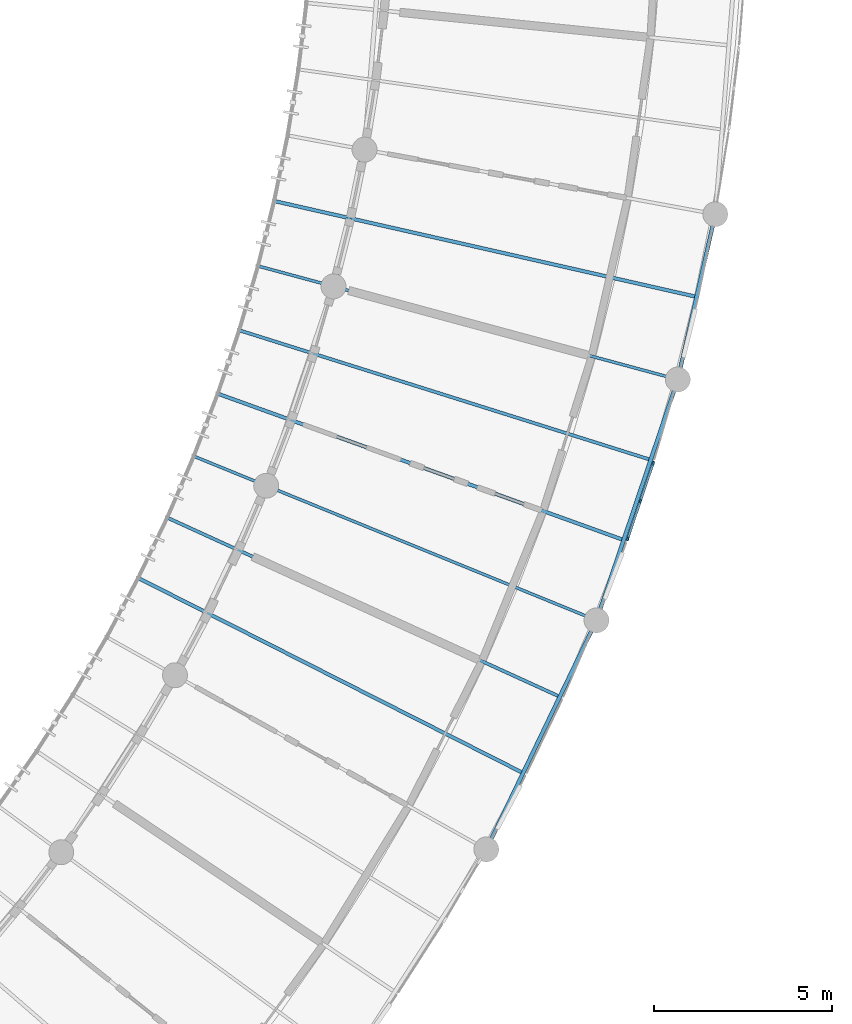
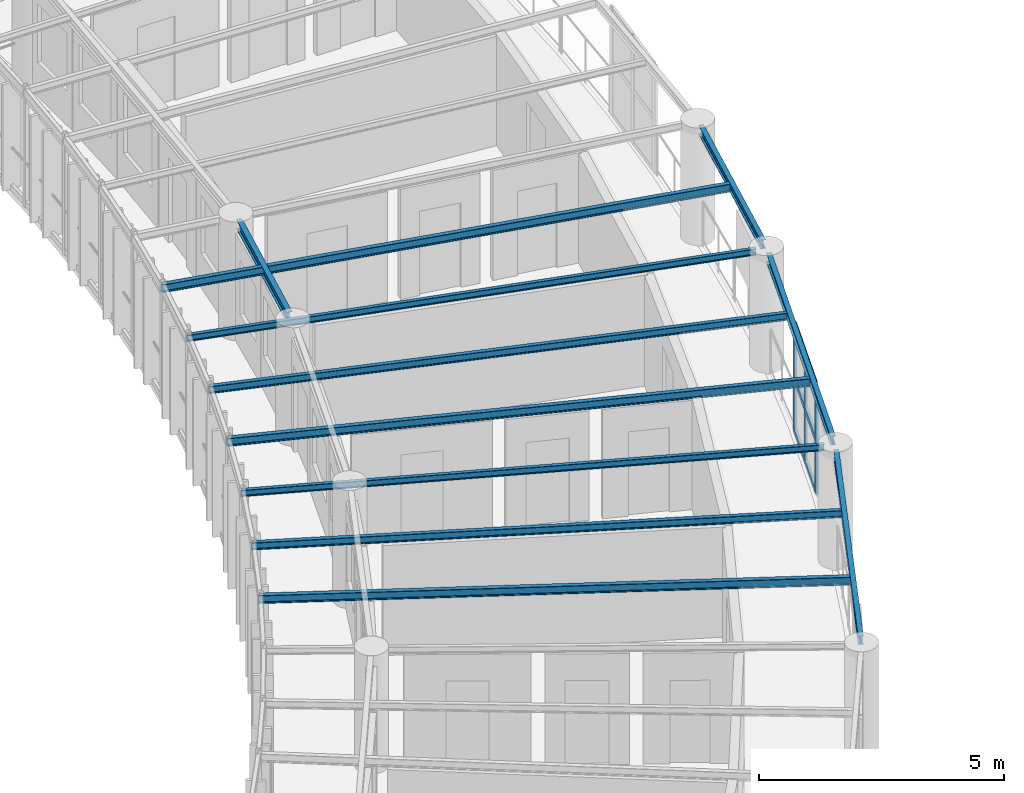
# One storey, part 15 of 100: 11 beams, 9 members, 1 element without a shape of its own.
"""IFC4 building model written with IfcOpenShell, lengths in metres."""

from ifc_helpers import new_model, si_unit, direction, frame, origin, origin_2d, place, context, subcontext, project, spatial, rectangle, i_section, extrude, material, layer, layer_set, material_profile, profile_set, type_object, element, aggregate, save


model = new_model("IFC4")

# Units and contexts
model_context = context("Model", 3, precision=1e-05, world=origin(), true_north=direction((0.0, 1.0)))
body_context = subcontext(model_context, "Body", "Model", "MODEL_VIEW")
ifc_project = project(units=[si_unit("LENGTHUNIT", "METRE"), si_unit("AREAUNIT", "SQUARE_METRE"), si_unit("VOLUMEUNIT", "CUBIC_METRE"), si_unit("PLANEANGLEUNIT", "RADIAN"), si_unit("MASSUNIT", "GRAM", prefix="KILO"), si_unit("POWERUNIT", "WATT"), si_unit("THERMODYNAMICTEMPERATUREUNIT", "KELVIN")], contexts=[model_context])

# Site, building, storey
site_placement = place(None, origin())
site = spatial("IfcSite", under=ifc_project, at=site_placement, CompositionType="ELEMENT")
building_placement = place(site_placement, origin())
building = spatial("IfcBuilding", under=site, at=building_placement, Name="Ruvembo Vaulted Housing Court", CompositionType="ELEMENT")
storey_placement = place(building_placement, frame((0.0, 0.0, 10.89990234375)))
storey = spatial("IfcBuildingStorey", under=building, at=storey_placement, Name="L03", CompositionType="ELEMENT", Elevation=10.89990234375)

# Beams
ifc_material_1 = material(Name="Steel S355J2", Category="steel")
ifc_material_profile_1 = material_profile(ifc_material_1, i_section(OverallWidth=0.08203125, OverallDepth=0.159912109375, WebThickness=0.0048828125, FlangeThickness=0.00732421875, FilletRadius=0.009033203125, at=origin_2d()), Name="IPE 160")
ifc_profile_set_1 = profile_set([ifc_material_profile_1], Name="Steel S355J2")
beam_type_1 = type_object("IfcBeamType", Name="BM-ST-IPE160", PredefinedType="JOIST", material=ifc_profile_set_1)
beam_1_placement = place(storey_placement, frame((55.49755859375, 52.196533203125, 2.860107421875), z_axis=(-0.926045789451, 0.377411176094, 0.0), x_axis=(-0.377411176094, -0.926045789451, 0.0)))
element("IfcBeam", 1, at=beam_1_placement, inside=storey, type_object=beam_type_1, Name="Scoop SC1 L03 Radial Steel Joist 9", PredefinedType="JOIST", context=body_context, shape_type="SweptSolid", body=[
    extrude(i_section(OverallWidth=0.08203125, OverallDepth=0.159912109375, WebThickness=0.0048828125, FlangeThickness=0.00732421875, FilletRadius=0.009033203125, at=origin_2d()), origin(), (0.0, 0.0, 1.0), 12.010009765625),
])
beam_2_placement = place(storey_placement, frame((57.767333984375, 58.9208984375, 2.860107421875), z_axis=(-0.965330589563, 0.261030367684, 0.0), x_axis=(-0.261030367684, -0.965330589563, 0.0)))
element("IfcBeam", 2, at=beam_2_placement, inside=storey, type_object=beam_type_1, Name="Scoop SC1 L03 Radial Steel Joist 12", PredefinedType="JOIST", context=body_context, shape_type="SweptSolid", body=[
    extrude(i_section(OverallWidth=0.08203125, OverallDepth=0.159912109375, WebThickness=0.0048828125, FlangeThickness=0.00732421875, FilletRadius=0.009033203125, at=origin_2d()), origin(), (0.0, 0.0, 1.0), 12.01025390625),
])
ifc_material_profile_2 = material_profile(ifc_material_1, i_section(OverallWidth=0.091064453125, OverallDepth=0.179931640625, WebThickness=0.00537109375, FlangeThickness=0.008056640625, FilletRadius=0.009033203125, at=origin_2d()), Name="IPE 180")
ifc_profile_set_2 = profile_set([ifc_material_profile_2], Name="Steel S355J2")
beam_type_2 = type_object("IfcBeamType", Name="BM-ST-IPE180", PredefinedType="JOIST", material=ifc_profile_set_2)
for number, where, z_axis, x_axis, name in (
    (3, (54.634521484375, 49.989013671875, 2.85009765625), (-0.909807680255, 0.415030101256, 0.0), (-0.415030101256, -0.909807680255, 0.0), "Scoop SC1 L03 Radial Steel Joist 8"),
    (4, (57.181640625, 56.62451171875, 2.85009765625), (-0.953840147825, 0.300314788843, 0.0), (-0.300314788843, -0.953840147825, 0.0), "Scoop SC1 L03 Radial Steel Joist 11"),
):
    element("IfcBeam", number, at=place(storey_placement, frame(where, z_axis=z_axis, x_axis=x_axis)), inside=storey, type_object=beam_type_2, Name=name, PredefinedType="JOIST", context=body_context, shape_type="SweptSolid", body=[
        extrude(i_section(OverallWidth=0.091064453125, OverallDepth=0.179931640625, WebThickness=0.00537109375, FlangeThickness=0.008056640625, FilletRadius=0.009033203125, at=origin_2d()), origin(), (0.0, 0.0, 1.0), 12.092529296875),
    ])
ifc_material_profile_3 = material_profile(ifc_material_1, i_section(OverallWidth=0.10009765625, OverallDepth=0.199951171875, WebThickness=0.005615234375, FlangeThickness=0.008544921875, FilletRadius=0.011962890625, at=origin_2d()), Name="IPE 200")
ifc_profile_set_3 = profile_set([ifc_material_profile_3], Name="Steel S355J2")
beam_type_3 = type_object("IfcBeamType", Name="BM-ST-IPE200", PredefinedType="BEAM", material=ifc_profile_set_3)
for number, where, z_axis, x_axis, name in (
    (5, (53.606689453125, 47.852783203125, 2.840087890625), (-0.892032194584, 0.451971861763, 0.0), (-0.451971861763, -0.892032194584, 0.0), "Scoop SC1 L03 Radial Steel Joist 7"),
    (6, (56.423583984375, 54.37841796875, 2.840087890625), (-0.940730058754, 0.339156242102, 0.0), (-0.339156242102, -0.940730058754, 0.0), "Scoop SC1 L03 Radial Steel Joist 10"),
):
    element("IfcBeam", number, at=place(storey_placement, frame(where, z_axis=z_axis, x_axis=x_axis)), inside=storey, type_object=beam_type_3, Name=name, PredefinedType="BEAM", context=body_context, shape_type="SweptSolid", body=[
        extrude(i_section(OverallWidth=0.10009765625, OverallDepth=0.199951171875, WebThickness=0.005615234375, FlangeThickness=0.008544921875, FilletRadius=0.011962890625, at=origin_2d()), origin(), (0.0, 0.0, 1.0), 12.0927734375),
    ])
beam_3_placement = place(storey_placement, frame((58.46630859375, 61.189208984375, 2.840087890625), z_axis=(-0.975216538184, 0.221252578862, 0.0), x_axis=(-0.221252578862, -0.975216538184, 0.0)))
element("IfcBeam", 7, at=beam_3_placement, inside=storey, type_object=beam_type_3, Name="Scoop SC1 L03 Radial Steel Joist 13", PredefinedType="BEAM", context=body_context, shape_type="SweptSolid", body=[
    extrude(i_section(OverallWidth=0.10009765625, OverallDepth=0.199951171875, WebThickness=0.005615234375, FlangeThickness=0.008544921875, FilletRadius=0.011962890625, at=origin_2d()), origin(), (0.0, 0.0, 1.0), 12.14111328125),
])
ifc_material_profile_4 = material_profile(ifc_material_1, i_section(OverallWidth=0.110107421875, OverallDepth=0.219970703125, WebThickness=0.005859375, FlangeThickness=0.00927734375, FilletRadius=0.011962890625, at=origin_2d()), Name="IPE 220")
ifc_profile_set_4 = profile_set([ifc_material_profile_4], Name="Steel S355J2")
beam_type_4 = type_object("IfcBeamType", Name="BM-ST-IPE220", PredefinedType="SPANDREL", material=ifc_profile_set_4)
for number, where, z_axis, x_axis, name in (
    (8, (52.720703125, 45.89599609375, 2.83203125), (0.433595351861, 0.901107691036, 0.0), (-0.901107691036, 0.433595351861, 0.0), "Scoop SC1 L03 Chord Girder B6"),
    (9, (55.7841796875, 52.32763671875, 2.83203125), (0.319796729332, 0.947486175049, 0.0), (-0.947486175049, 0.319796729332, 0.0), "Scoop SC1 L03 Chord Girder B9"),
):
    element("IfcBeam", number, at=place(storey_placement, frame(where, z_axis=z_axis, x_axis=x_axis)), inside=storey, type_object=beam_type_4, Name=name, PredefinedType="SPANDREL", context=body_context, shape_type="SweptSolid", body=[
        extrude(i_section(OverallWidth=0.110107421875, OverallDepth=0.219970703125, WebThickness=0.005859375, FlangeThickness=0.00927734375, FilletRadius=0.011962890625, at=origin_2d()), origin(), (0.0, 0.0, 1.0), 6.66552734375),
    ])
beam_4_placement = place(storey_placement, frame((58.040283203125, 59.085205078125, 2.83203125), z_axis=(0.221264608711, 0.97521380883, 0.0), x_axis=(-0.97521380883, 0.221264608711, 0.0)))
element("IfcBeam", 10, at=beam_4_placement, inside=storey, type_object=beam_type_4, Name="Scoop SC1 L03 Chord Girder B12", PredefinedType="SPANDREL", context=body_context, shape_type="SweptSolid", body=[
    extrude(i_section(OverallWidth=0.110107421875, OverallDepth=0.219970703125, WebThickness=0.005859375, FlangeThickness=0.00927734375, FilletRadius=0.011962890625, at=origin_2d()), origin(), (0.0, 0.0, 1.0), 4.292236328125),
])
ifc_material_profile_5 = material_profile(ifc_material_1, i_section(OverallWidth=0.1201171875, OverallDepth=0.239990234375, WebThickness=0.006103515625, FlangeThickness=0.009765625, FilletRadius=0.014892578125, at=origin_2d()), Name="IPE 240")
ifc_profile_set_5 = profile_set([ifc_material_profile_5], Name="Steel S355J2")
beam_type_5 = type_object("IfcBeamType", Name="BM-ST-IPE240", PredefinedType="BEAM", material=ifc_profile_set_5)
beam_5_placement = place(storey_placement, frame((48.386962890625, 61.695556640625, 2.822021484375), z_axis=(0.221253396434, 0.975216352696, 0.0), x_axis=(-0.975216352696, 0.221253396434, 0.0)))
element("IfcBeam", 11, at=beam_5_placement, inside=storey, type_object=beam_type_5, Name="Scoop SC1 L03 Chord Girder F12", PredefinedType="BEAM", context=body_context, shape_type="SweptSolid", body=[
    extrude(i_section(OverallWidth=0.1201171875, OverallDepth=0.239990234375, WebThickness=0.006103515625, FlangeThickness=0.009765625, FilletRadius=0.014892578125, at=origin_2d()), origin(), (0.0, 0.0, 1.0), 3.47265625),
])

# Curtain wall, members
ifc_material_2 = material(Name="Anodised Aluminium and Solar-Control Glass", Category="aluminium")
ifc_layer = layer(ifc_material_2, 0.139892578125, Name="Anodised Aluminium and Solar-Control Glass")
ifc_layer_set = layer_set([ifc_layer], Name="Anodised Aluminium and Solar-Control Glass")
curtain_wall_type = type_object("IfcCurtainWallType", Name="CW-SCOOP-PAN", PredefinedType="NOTDEFINED", material=ifc_layer_set)
curtain_wall_placement = place(storey_placement, origin())
curtain_wall = element("IfcCurtainWall", 12, at=curtain_wall_placement, inside=storey, type_object=curtain_wall_type, Name="L03 Curtain Wall CW-L03-0019", PredefinedType="NOTDEFINED")
ifc_material_3 = material(Name="Anodised Aluminium 6063-T6", Category="aluminium")
ifc_material_profile_6 = material_profile(ifc_material_3, rectangle(XDim=0.054931640625, YDim=0.1201171875, at=origin_2d()), Name="ALU 55x120")
ifc_profile_set_6 = profile_set([ifc_material_profile_6], Name="Anodised Aluminium 6063-T6")
member_type_1 = type_object("IfcMemberType", Name="CW-MUL-55x120", PredefinedType="MULLION", material=ifc_profile_set_6)
member_1_placement = place(storey_placement, frame((56.5869140625, 54.40185546875, 0.0), z_axis=(0.0, 0.0, 1.0), x_axis=(-0.947472812083, 0.31983631808, 0.0)))
member_1 = element("IfcMember", 13, at=member_1_placement, type_object=member_type_1, Name="CW10 mullion 1", PredefinedType="MULLION", context=body_context, shape_type="SweptSolid", body=[
    extrude(rectangle(XDim=0.054931640625, YDim=0.1201171875, at=origin_2d()), origin(), (0.0, 0.0, 1.0), 2.697998046875),
])
member_2_placement = place(storey_placement, frame((56.942138671875, 55.454345703125, 0.0), z_axis=(0.0, 0.0, 1.0), x_axis=(-0.947472812083, 0.31983631808, 0.0)))
member_2 = element("IfcMember", 14, at=member_2_placement, type_object=member_type_1, Name="CW10 mullion 2", PredefinedType="MULLION", context=body_context, shape_type="SweptSolid", body=[
    extrude(rectangle(XDim=0.054931640625, YDim=0.1201171875, at=origin_2d()), origin(), (0.0, 0.0, 1.0), 2.697998046875),
])
member_3_placement = place(storey_placement, frame((57.29736328125, 56.506591796875, 0.0), z_axis=(0.0, 0.0, 1.0), x_axis=(-0.947472812083, 0.31983631808, 0.0)))
member_3 = element("IfcMember", 15, at=member_3_placement, type_object=member_type_1, Name="CW10 mullion 3", PredefinedType="MULLION", context=body_context, shape_type="SweptSolid", body=[
    extrude(rectangle(XDim=0.054931640625, YDim=0.1201171875, at=origin_2d()), origin(), (0.0, 0.0, 1.0), 2.697998046875),
])
ifc_material_profile_7 = material_profile(ifc_material_3, rectangle(XDim=0.06494140625, YDim=0.135009765625, at=origin_2d()), Name="ALU 65x135")
ifc_profile_set_7 = profile_set([ifc_material_profile_7], Name="Anodised Aluminium 6063-T6")
member_type_2 = type_object("IfcMemberType", Name="CW-TRN-65x135", PredefinedType="USERDEFINED", material=ifc_profile_set_7)
member_4_placement = place(storey_placement, frame((56.595703125, 54.427978515625, 0.03271484375), z_axis=(0.319833141803, 0.947473884286, 0.0), x_axis=(-0.947473884286, 0.319833141803, 0.0)))
member_4 = element("IfcMember", 16, at=member_4_placement, type_object=member_type_2, Name="CW10 transom 1.1", ObjectType="TRANSOM", PredefinedType="USERDEFINED", context=body_context, shape_type="SweptSolid", body=[
    extrude(rectangle(XDim=0.06494140625, YDim=0.135009765625, at=origin_2d()), origin(), (0.0, 0.0, 1.0), 1.0556640625),
])
member_5_placement = place(storey_placement, frame((56.595703125, 54.427978515625, 1.34912109375), z_axis=(0.319833141803, 0.947473884286, 0.0), x_axis=(-0.947473884286, 0.319833141803, 0.0)))
member_5 = element("IfcMember", 17, at=member_5_placement, type_object=member_type_2, Name="CW10 transom 1.2", ObjectType="TRANSOM", PredefinedType="USERDEFINED", context=body_context, shape_type="SweptSolid", body=[
    extrude(rectangle(XDim=0.06494140625, YDim=0.135009765625, at=origin_2d()), origin(), (0.0, 0.0, 1.0), 1.0556640625),
])
member_6_placement = place(storey_placement, frame((56.595703125, 54.427978515625, 2.66552734375), z_axis=(0.319833141803, 0.947473884286, 0.0), x_axis=(-0.947473884286, 0.319833141803, 0.0)))
member_6 = element("IfcMember", 18, at=member_6_placement, type_object=member_type_2, Name="CW10 transom 1.3", ObjectType="TRANSOM", PredefinedType="USERDEFINED", context=body_context, shape_type="SweptSolid", body=[
    extrude(rectangle(XDim=0.06494140625, YDim=0.135009765625, at=origin_2d()), origin(), (0.0, 0.0, 1.0), 1.0556640625),
])
member_7_placement = place(storey_placement, frame((56.950927734375, 55.480224609375, 0.03271484375), z_axis=(0.319833141803, 0.947473884286, 0.0), x_axis=(-0.947473884286, 0.319833141803, 0.0)))
member_7 = element("IfcMember", 19, at=member_7_placement, type_object=member_type_2, Name="CW10 transom 2.1", ObjectType="TRANSOM", PredefinedType="USERDEFINED", context=body_context, shape_type="SweptSolid", body=[
    extrude(rectangle(XDim=0.06494140625, YDim=0.135009765625, at=origin_2d()), origin(), (0.0, 0.0, 1.0), 1.0556640625),
])
member_8_placement = place(storey_placement, frame((56.950927734375, 55.480224609375, 1.34912109375), z_axis=(0.319833141803, 0.947473884286, 0.0), x_axis=(-0.947473884286, 0.319833141803, 0.0)))
member_8 = element("IfcMember", 20, at=member_8_placement, type_object=member_type_2, Name="CW10 transom 2.2", ObjectType="TRANSOM", PredefinedType="USERDEFINED", context=body_context, shape_type="SweptSolid", body=[
    extrude(rectangle(XDim=0.06494140625, YDim=0.135009765625, at=origin_2d()), origin(), (0.0, 0.0, 1.0), 1.0556640625),
])
member_9_placement = place(storey_placement, frame((56.950927734375, 55.480224609375, 2.66552734375), z_axis=(0.319833141803, 0.947473884286, 0.0), x_axis=(-0.947473884286, 0.319833141803, 0.0)))
member_9 = element("IfcMember", 21, at=member_9_placement, type_object=member_type_2, Name="CW10 transom 2.3", ObjectType="TRANSOM", PredefinedType="USERDEFINED", context=body_context, shape_type="SweptSolid", body=[
    extrude(rectangle(XDim=0.06494140625, YDim=0.135009765625, at=origin_2d()), origin(), (0.0, 0.0, 1.0), 1.0556640625),
])
aggregate(curtain_wall, [member_1, member_2, member_3, member_4, member_5, member_6, member_7, member_8, member_9])

save(model, "model.ifc")
